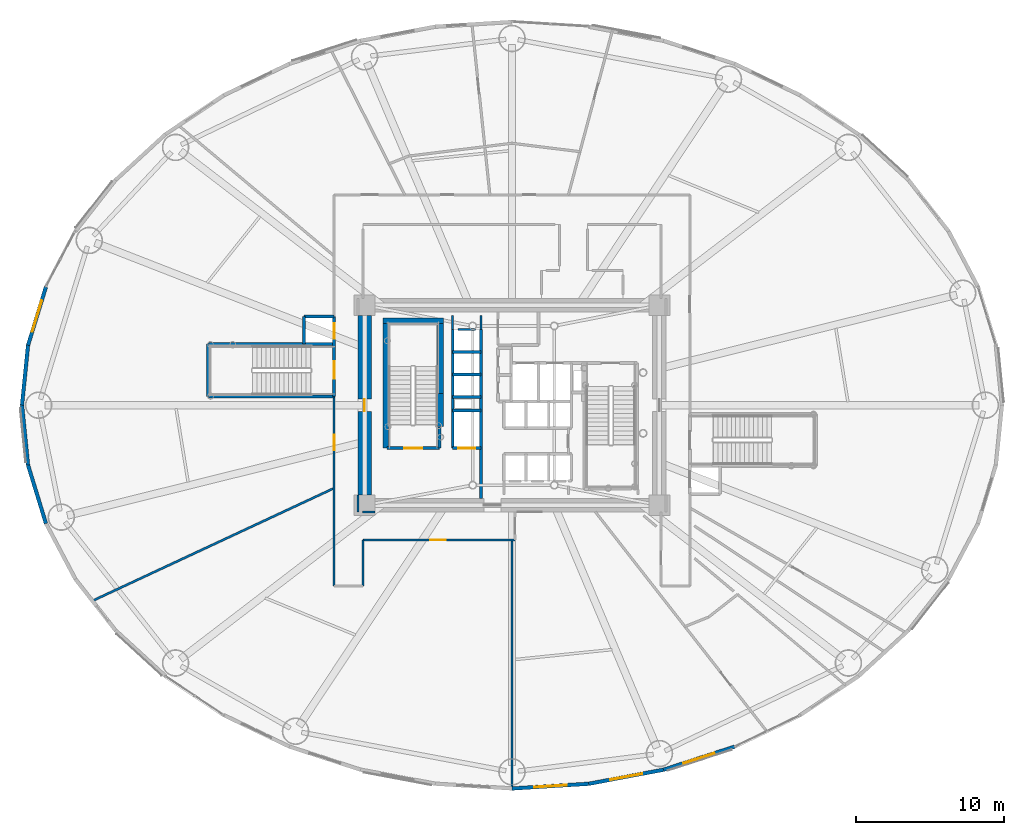
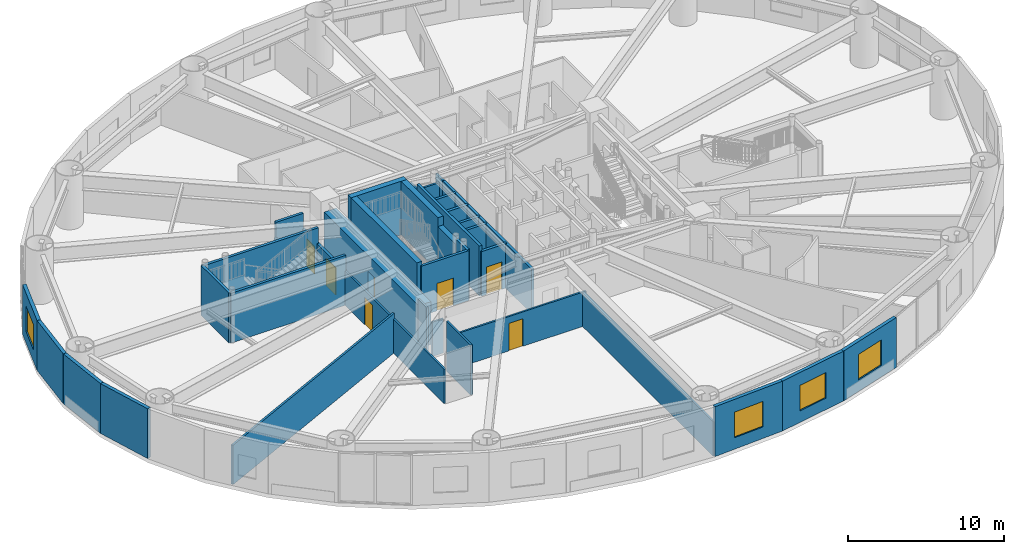
# One storey, part 13 of 27: 37 walls, 7 doors, 4 windows, 11 openings.
"""IFC4 building model written with IfcOpenShell, lengths in metres."""

from ifc_helpers import new_model, si_unit, direction, frame, frame_2d, origin, origin_2d, place, context, subcontext, project, spatial, rectangle, extrude, source, transform, mapped, material, layer, layer_set, type_object, element, fill, save


model = new_model("IFC4")

# Units and contexts
model_context = context("Model", 3, precision=1e-05, world=origin(), true_north=direction((0.0, 1.0)))
body_context = subcontext(model_context, "Body", "Model", "MODEL_VIEW")
ifc_project = project(units=[si_unit("LENGTHUNIT", "METRE"), si_unit("AREAUNIT", "SQUARE_METRE"), si_unit("VOLUMEUNIT", "CUBIC_METRE"), si_unit("PLANEANGLEUNIT", "RADIAN"), si_unit("MASSUNIT", "GRAM", prefix="KILO")], contexts=[model_context])

# Site, building, storey
site_placement = place(None, origin())
site = spatial("IfcSite", under=ifc_project, at=site_placement, CompositionType="ELEMENT")
building_placement = place(site_placement, origin())
building = spatial("IfcBuilding", under=site, at=building_placement, Name="Linh Dai School and Residence Tower", CompositionType="ELEMENT")
storey_placement = place(building_placement, frame((0.0, 0.0, 22.800048828125)))
storey = spatial("IfcBuildingStorey", under=building, at=storey_placement, Name="L05", CompositionType="ELEMENT", Elevation=22.800048828125)

# Wall, opening, window
ifc_material_1 = material(Name="Precast Concrete B45 (C35/45)", Category="concrete")
ifc_layer_1 = layer(ifc_material_1, 0.25)
ifc_layer_set_1 = layer_set([ifc_layer_1], Name="Precast Concrete B45 (C35/45)")
wall_type_1 = type_object("IfcWallType", Name="EW-TC-250", PredefinedType="SOLIDWALL", material=ifc_layer_set_1)
wall_1_placement = place(storey_placement, frame((3.331298828125, 31.04248046875, 0.0), z_axis=(0.0, 0.0, 1.0), x_axis=(0.293070945898, 0.956090696885, 0.0)))
wall_1 = element("IfcWall", 1, at=wall_1_placement, inside=storey, type_object=wall_type_1, Name="L05 Terracotta Exterior Wall 19", PredefinedType="SOLIDWALL", context=body_context, shape_type="SweptSolid", body=[
    extrude(rectangle(XDim=4.125244140625, YDim=0.25, at=frame_2d((2.0625, 0.0))), origin(), (0.0, 0.0, 1.0), 3.89990234375),
])
opening_1_placement = place(wall_1_placement, frame((0.962646484375, 0.0, 0.89990234375)))
opening_1 = element("IfcOpeningElement", 2, at=opening_1_placement, cuts=wall_1, Name="Opening W4", PredefinedType="OPENING", context=body_context, shape_type="SweptSolid", body=[
    extrude(rectangle(XDim=2.199951171875, YDim=2.0, at=origin_2d()), frame((1.10009765625, 0.135009765625, 1.0), z_axis=(0.0, -1.0, 0.0), x_axis=(1.0, 0.0, 0.0)), (0.0, 0.0, 1.0), 0.27001953125),
])
ifc_material_2 = material(Name="Acoustic Laminated Low-E Glazing", Category="glass")
window_type = type_object("IfcWindowType", Name="WN-SCH-2200x2000", PartitioningType="TRIPLE_PANEL_VERTICAL", PredefinedType="WINDOW", material=ifc_material_2)
shared_shape_1 = source(origin(), body_context, "Body", "SweptSolid", [
    extrude(rectangle(XDim=2.199951171875, YDim=2.0, at=origin_2d()), frame((1.10009765625, 0.030029296875, 1.0), z_axis=(0.0, -1.0, 0.0), x_axis=(1.0, 0.0, 0.0)), (0.0, 0.0, 1.0), 0.06005859375),
])
window_1_placement = place(opening_1_placement, origin())
window_1 = element("IfcWindow", 3, at=window_1_placement, inside=storey, type_object=window_type, Name="L05 Exterior Window 19.1", OverallHeight=2.0, OverallWidth=2.199951171875, PartitioningType="TRIPLE_PANEL_VERTICAL", PredefinedType="WINDOW", context=body_context, shape_type="MappedRepresentation", body=[
    mapped(shared_shape_1, transform((0.0, 0.0, 0.0), x_axis=(1.0, 0.0, 0.0), y_axis=(0.0, 1.0, 0.0), z_axis=(0.0, 0.0, 1.0), scale=1.0)),
])
fill(opening_1, window_1)

# Walls
for number, where, z_axis, x_axis, name in (
    (4, (2.925048828125, 27.0, 0.0), (0.0, 0.0, 1.0), (0.099991575324, 0.994988283782, 0.0), "L05 Terracotta Exterior Wall 20"),
    (5, (3.331298828125, 22.95751953125, 0.0), (0.0, 0.0, 1.0), (-0.099991575324, 0.994988283782, 0.0), "L05 Terracotta Exterior Wall 21"),
):
    element("IfcWall", number, at=place(storey_placement, frame(where, z_axis=z_axis, x_axis=x_axis)), inside=storey, type_object=wall_type_1, Name=name, PredefinedType="SOLIDWALL", context=body_context, shape_type="SweptSolid", body=[
        extrude(rectangle(XDim=4.062744140625, YDim=0.25, at=frame_2d((2.03125, 0.0))), origin(), (0.0, 0.0, 1.0), 3.89990234375),
    ])
wall_2_placement = place(storey_placement, frame((4.540283203125, 19.013427734375, 0.0), z_axis=(0.0, 0.0, 1.0), x_axis=(-0.293070945898, 0.956090696885, 0.0)))
element("IfcWall", 6, at=wall_2_placement, inside=storey, type_object=wall_type_1, Name="L05 Terracotta Exterior Wall 22", PredefinedType="SOLIDWALL", context=body_context, shape_type="SweptSolid", body=[
    extrude(rectangle(XDim=4.125244140625, YDim=0.25, at=frame_2d((2.0625, 0.0))), origin(), (0.0, 0.0, 1.0), 3.89990234375),
])

# Wall, opening, window
wall_3_placement = place(storey_placement, frame((41.17822265625, 1.444091796875, 0.0), z_axis=(0.0, 0.0, 1.0), x_axis=(-0.998106762298, -0.061505211614, 0.0)))
wall_3 = element("IfcWall", 7, at=wall_3_placement, inside=storey, type_object=wall_type_1, Name="L05 Terracotta Exterior Wall 31", PredefinedType="SOLIDWALL", context=body_context, shape_type="SweptSolid", body=[
    extrude(rectangle(XDim=5.18798828125, YDim=0.25, at=frame_2d((2.593994140625, 0.0))), origin(), (0.0, 0.0, 1.0), 3.89990234375),
])
opening_2_placement = place(wall_3_placement, frame((1.493896484375, 0.0, 0.89990234375)))
opening_2 = element("IfcOpeningElement", 8, at=opening_2_placement, cuts=wall_3, Name="Opening W4", PredefinedType="OPENING", context=body_context, shape_type="SweptSolid", body=[
    extrude(rectangle(XDim=2.199951171875, YDim=2.0, at=origin_2d()), frame((1.10009765625, 0.135009765625, 1.0), z_axis=(0.0, -1.0, 0.0), x_axis=(1.0, 0.0, 0.0)), (0.0, 0.0, 1.0), 0.27001953125),
])
window_2_placement = place(opening_2_placement, origin())
window_2 = element("IfcWindow", 9, at=window_2_placement, inside=storey, type_object=window_type, Name="L05 Exterior Window 31.1", OverallHeight=2.0, OverallWidth=2.199951171875, PartitioningType="TRIPLE_PANEL_VERTICAL", PredefinedType="WINDOW", context=body_context, shape_type="MappedRepresentation", body=[
    mapped(shared_shape_1, transform((0.0, 0.0, 0.0), x_axis=(1.0, 0.0, 0.0), y_axis=(0.0, 1.0, 0.0), z_axis=(0.0, 0.0, 1.0), scale=1.0)),
])
fill(opening_2, window_2)

wall_4_placement = place(storey_placement, frame((46.228515625, 2.3935546875, 0.0), z_axis=(0.0, 0.0, 1.0), x_axis=(-0.98278278947, -0.184764684726, 0.0)))
wall_4 = element("IfcWall", 10, at=wall_4_placement, inside=storey, type_object=wall_type_1, Name="L05 Terracotta Exterior Wall 32", PredefinedType="SOLIDWALL", context=body_context, shape_type="SweptSolid", body=[
    extrude(rectangle(XDim=5.138671875, YDim=0.25, at=frame_2d((2.5693359375, 0.0))), origin(), (0.0, 0.0, 1.0), 3.89990234375),
])
opening_3_placement = place(wall_4_placement, frame((1.469482421875, 0.0, 0.89990234375)))
opening_3 = element("IfcOpeningElement", 11, at=opening_3_placement, cuts=wall_4, Name="Opening W4", PredefinedType="OPENING", context=body_context, shape_type="SweptSolid", body=[
    extrude(rectangle(XDim=2.199951171875, YDim=2.0, at=origin_2d()), frame((1.10009765625, 0.135009765625, 1.0), z_axis=(0.0, -1.0, 0.0), x_axis=(1.0, 0.0, 0.0)), (0.0, 0.0, 1.0), 0.27001953125),
])
window_3_placement = place(opening_3_placement, origin())
window_3 = element("IfcWindow", 12, at=window_3_placement, inside=storey, type_object=window_type, Name="L05 Exterior Window 32.1", OverallHeight=2.0, OverallWidth=2.199951171875, PartitioningType="TRIPLE_PANEL_VERTICAL", PredefinedType="WINDOW", context=body_context, shape_type="MappedRepresentation", body=[
    mapped(shared_shape_1, transform((0.0, 0.0, 0.0), x_axis=(1.0, 0.0, 0.0), y_axis=(0.0, 1.0, 0.0), z_axis=(0.0, 0.0, 1.0), scale=1.0)),
])
fill(opening_3, window_3)

wall_5_placement = place(storey_placement, frame((51.026123046875, 3.949951171875, 0.0), z_axis=(0.0, 0.0, 1.0), x_axis=(-0.951198629726, -0.308579271513, 0.0)))
wall_5 = element("IfcWall", 13, at=wall_5_placement, inside=storey, type_object=wall_type_1, Name="L05 Terracotta Exterior Wall 33", PredefinedType="SOLIDWALL", context=body_context, shape_type="SweptSolid", body=[
    extrude(rectangle(XDim=5.043701171875, YDim=0.25, at=frame_2d((2.52197265625, 0.0))), origin(), (0.0, 0.0, 1.0), 3.89990234375),
])
opening_4_placement = place(wall_5_placement, frame((1.422119140625, 0.0, 0.89990234375)))
opening_4 = element("IfcOpeningElement", 14, at=opening_4_placement, cuts=wall_5, Name="Opening W4", PredefinedType="OPENING", context=body_context, shape_type="SweptSolid", body=[
    extrude(rectangle(XDim=2.199951171875, YDim=2.0, at=origin_2d()), frame((1.10009765625, 0.135009765625, 1.0), z_axis=(0.0, -1.0, 0.0), x_axis=(1.0, 0.0, 0.0)), (0.0, 0.0, 1.0), 0.27001953125),
])
window_4_placement = place(opening_4_placement, origin())
window_4 = element("IfcWindow", 15, at=window_4_placement, inside=storey, type_object=window_type, Name="L05 Exterior Window 33.1", OverallHeight=2.0, OverallWidth=2.199951171875, PartitioningType="TRIPLE_PANEL_VERTICAL", PredefinedType="WINDOW", context=body_context, shape_type="MappedRepresentation", body=[
    mapped(shared_shape_1, transform((0.0, 0.0, 0.0), x_axis=(1.0, 0.0, 0.0), y_axis=(0.0, 1.0, 0.0), z_axis=(0.0, 0.0, 1.0), scale=1.0)),
])
fill(opening_4, window_4)

# Wall, opening, door
ifc_material_3 = material(Name="Autoclaved Aerated Concrete Blockwork", Category="masonry")
ifc_layer_2 = layer(ifc_material_3, 0.135009765625)
ifc_layer_set_2 = layer_set([ifc_layer_2], Name="Autoclaved Aerated Concrete Blockwork")
wall_type_2 = type_object("IfcWallType", Name="IW-CORR-135-EI90", PredefinedType="PARTITIONING", material=ifc_layer_set_2)
wall_6_placement = place(storey_placement, frame((24.0, 14.800048828125, 0.0), z_axis=(0.0, 0.0, 1.0), x_axis=(0.0, 1.0, 0.0)))
wall_6 = element("IfcWall", 16, at=wall_6_placement, inside=storey, type_object=wall_type_2, Name="L05 Interior Partition Wall 009", PredefinedType="PARTITIONING", context=body_context, shape_type="SweptSolid", body=[
    extrude(rectangle(XDim=12.780029296875, YDim=0.135009765625, at=frame_2d((6.39013671875, 0.0))), origin(), (0.0, 0.0, 1.0), 2.68505859375),
])
opening_5_placement = place(wall_6_placement, frame((9.147216796875, 0.0, 0.0)))
opening_5 = element("IfcOpeningElement", 17, at=opening_5_placement, cuts=wall_6, Name="Opening D04", PredefinedType="OPENING", context=body_context, shape_type="SweptSolid", body=[
    extrude(rectangle(XDim=1.050048828125, YDim=2.14990234375, at=origin_2d()), frame((0.52490234375, 0.07763671875, 1.074951171875), z_axis=(0.0, -1.0, 0.0), x_axis=(1.0, 0.0, 0.0)), (0.0, 0.0, 1.0), 0.155029296875),
])
ifc_material_4 = material(Name="Acoustic Vision-Panel Timber Classroom Door", Category="wood")
door_type_1 = type_object("IfcDoorType", Name="DR-SCH-1050x2150-FD60S", OperationType="NOTDEFINED", PredefinedType="DOOR", material=ifc_material_4)
shared_shape_2 = source(origin(), body_context, "Body", "SweptSolid", [
    extrude(rectangle(XDim=1.050048828125, YDim=2.14990234375, at=origin_2d()), frame((0.52490234375, 0.02490234375, 1.074951171875), z_axis=(0.0, -1.0, 0.0), x_axis=(1.0, 0.0, 0.0)), (0.0, 0.0, 1.0), 0.050048828125),
])
door_1_placement = place(opening_5_placement, origin())
door_1 = element("IfcDoor", 18, at=door_1_placement, inside=storey, type_object=door_type_1, Name="L05 Orchestra and Acoustic Music Rehearsal Studio Door", OperationType="SINGLE_SWING_RIGHT", OverallHeight=2.14990234375, OverallWidth=1.050048828125, PredefinedType="DOOR", context=body_context, shape_type="MappedRepresentation", body=[
    mapped(shared_shape_2, transform((0.0, 0.0, 0.0), x_axis=(1.0, 0.0, 0.0), y_axis=(0.0, 1.0, 0.0), z_axis=(0.0, 0.0, 1.0), scale=1.0)),
])
fill(opening_5, door_1)

# Wall
wall_7_placement = place(storey_placement, frame((25.949951171875, 14.800048828125, 0.0), z_axis=(0.0, 0.0, 1.0), x_axis=(0.0, 1.0, 0.0)))
element("IfcWall", 19, at=wall_7_placement, inside=storey, type_object=wall_type_2, Name="L05 Interior Partition Wall 014", PredefinedType="PARTITIONING", context=body_context, shape_type="SweptSolid", body=[
    extrude(rectangle(XDim=3.099853515625, YDim=0.135009765625, at=frame_2d((1.5498046875, 0.0))), origin(), (0.0, 0.0, 1.0), 3.89990234375),
])

# Wall, opening, door
wall_8_placement = place(storey_placement, frame((25.949951171875, 17.89990234375, 0.0), z_axis=(0.0, 0.0, 1.0), x_axis=(1.0, 0.0, 0.0)))
wall_8 = element("IfcWall", 20, at=wall_8_placement, inside=storey, type_object=wall_type_2, Name="L05 Interior Partition Wall 015", PredefinedType="PARTITIONING", context=body_context, shape_type="SweptSolid", body=[
    extrude(rectangle(XDim=10.25, YDim=0.135009765625, at=frame_2d((5.125, 0.0))), origin(), (0.0, 0.0, 1.0), 2.68505859375),
])
opening_6_placement = place(wall_8_placement, frame((4.52001953125, 0.0, 0.0)))
opening_6 = element("IfcOpeningElement", 21, at=opening_6_placement, cuts=wall_8, Name="Opening D04", PredefinedType="OPENING", context=body_context, shape_type="SweptSolid", body=[
    extrude(rectangle(XDim=1.050048828125, YDim=2.14990234375, at=origin_2d()), frame((0.52490234375, 0.07763671875, 1.074951171875), z_axis=(0.0, -1.0, 0.0), x_axis=(1.0, 0.0, 0.0)), (0.0, 0.0, 1.0), 0.155029296875),
])
door_2_placement = place(opening_6_placement, origin())
door_2 = element("IfcDoor", 22, at=door_2_placement, inside=storey, type_object=door_type_1, Name="L05 Black-Box Drama and Recital Studio Door", OperationType="SINGLE_SWING_LEFT", OverallHeight=2.14990234375, OverallWidth=1.050048828125, PredefinedType="DOOR", context=body_context, shape_type="MappedRepresentation", body=[
    mapped(shared_shape_2, transform((0.0, 0.0, 0.0), x_axis=(1.0, 0.0, 0.0), y_axis=(0.0, 1.0, 0.0), z_axis=(0.0, 0.0, 1.0), scale=1.0)),
])
fill(opening_6, door_2)

# Walls
wall_9_placement = place(storey_placement, frame((32.360107421875, 32.10009765625, 0.0), z_axis=(0.0, 0.0, 1.0), x_axis=(1.0, 0.0, 0.0)))
element("IfcWall", 23, at=wall_9_placement, inside=storey, type_object=wall_type_2, Name="L05 Interior Partition Wall 078", PredefinedType="PARTITIONING", context=body_context, shape_type="SweptSolid", body=[
    extrude(rectangle(XDim=1.179931640625, YDim=0.135009765625, at=frame_2d((0.58984375, 0.0))), origin(), (0.0, 0.0, 1.0), 3.48486328125),
])
wall_10_placement = place(storey_placement, frame((32.0, 33.0400390625, 0.0), z_axis=(0.0, 0.0, 1.0), x_axis=(0.0, -1.0, 0.0)))
element("IfcWall", 24, at=wall_10_placement, inside=storey, type_object=wall_type_2, Name="L05 Interior Partition Wall 080", PredefinedType="PARTITIONING", context=body_context, shape_type="SweptSolid", body=[
    extrude(rectangle(XDim=0.929931640625, YDim=0.135009765625, at=frame_2d((0.46484375, 0.0))), origin(), (0.0, 0.0, 1.0), 3.43505859375),
])
wall_11_placement = place(storey_placement, frame((33.89990234375, 32.110107421875, 0.0), z_axis=(0.0, 0.0, 1.0), x_axis=(0.0, 1.0, 0.0)))
element("IfcWall", 25, at=wall_11_placement, inside=storey, type_object=wall_type_2, Name="L05 Interior Partition Wall 083", PredefinedType="PARTITIONING", context=body_context, shape_type="SweptSolid", body=[
    extrude(rectangle(XDim=0.929931640625, YDim=0.135009765625, at=frame_2d((0.46484375, 0.0))), origin(), (0.0, 0.0, 1.0), 3.48486328125),
])
wall_12_placement = place(storey_placement, frame((25.60009765625, 20.93994140625, 0.0), z_axis=(0.0, 0.0, 1.0), x_axis=(0.0, -1.0, 0.0)))
element("IfcWall", 26, at=wall_12_placement, inside=storey, type_object=wall_type_2, Name="L05 Interior Partition Wall 099", PredefinedType="PARTITIONING", context=body_context, shape_type="SweptSolid", body=[
    extrude(rectangle(XDim=1.139892578125, YDim=0.135009765625, at=frame_2d((0.56982421875, 0.0))), origin(), (0.0, 0.0, 1.0), 3.89990234375),
])
wall_13_placement = place(storey_placement, frame((25.907470703125, 19.800048828125, 0.0), z_axis=(0.0, 0.0, 1.0), x_axis=(1.0, 0.0, 0.0)))
element("IfcWall", 27, at=wall_13_placement, inside=storey, type_object=wall_type_2, Name="L05 Interior Partition Wall 100", PredefinedType="PARTITIONING", context=body_context, shape_type="SweptSolid", body=[
    extrude(rectangle(XDim=0.83251953125, YDim=0.135009765625, at=frame_2d((0.416259765625, 0.0))), origin(), (0.0, 0.0, 1.0), 2.68505859375),
])
ifc_layer_3 = layer(ifc_material_3, 0.14990234375)
ifc_layer_set_3 = layer_set([ifc_layer_3], Name="Autoclaved Aerated Concrete Blockwork")
wall_type_3 = type_object("IfcWallType", Name="IW-SCH-150-EI60", PredefinedType="PARTITIONING", material=ifc_layer_set_3)
wall_14_placement = place(storey_placement, frame((7.6708984375, 13.789794921875, 0.0), z_axis=(0.0, 0.0, 1.0), x_axis=(0.906305303078, 0.422623588567, 0.0)))
element("IfcWall", 28, at=wall_14_placement, inside=storey, type_object=wall_type_3, Name="L05 Interior Partition Wall 001", PredefinedType="PARTITIONING", context=body_context, shape_type="SweptSolid", body=[
    extrude(rectangle(XDim=18.017333984375, YDim=0.14990234375, at=frame_2d((9.0087890625, 0.0))), origin(), (0.0, 0.0, 1.0), 3.0849609375),
])
wall_15_placement = place(storey_placement, frame((36.0, 1.1201171875, 0.0), z_axis=(0.0, 0.0, 1.0), x_axis=(0.0, 1.0, 0.0)))
element("IfcWall", 29, at=wall_15_placement, inside=storey, type_object=wall_type_3, Name="L05 Interior Partition Wall 041", PredefinedType="PARTITIONING", context=body_context, shape_type="SweptSolid", body=[
    extrude(rectangle(XDim=16.77978515625, YDim=0.14990234375, at=frame_2d((8.389892578125, 0.0))), origin(), (0.0, 0.0, 1.0), 2.68505859375),
])
ifc_material_5 = material(Name="Concrete B45 (C35/45)", Category="concrete")
ifc_layer_4 = layer(ifc_material_5, 0.199951171875)
ifc_layer_set_4 = layer_set([ifc_layer_4], Name="Concrete B45 (C35/45)")
wall_type_4 = type_object("IfcWallType", Name="IW-SHAFT-200-EI120", PredefinedType="PARTITIONING", material=ifc_layer_set_4)
wall_16_placement = place(storey_placement, frame((15.47998046875, 27.580078125, 0.0), z_axis=(0.0, 0.0, 1.0), x_axis=(0.0, 1.0, 0.0)))
element("IfcWall", 30, at=wall_16_placement, inside=storey, type_object=wall_type_4, Name="L05 Interior Partition Wall 003", PredefinedType="PARTITIONING", context=body_context, shape_type="SweptSolid", body=[
    extrude(rectangle(XDim=3.5400390625, YDim=0.199951171875, at=frame_2d((1.77001953125, 0.0))), origin(), (0.0, 0.0, 1.0), 3.89990234375),
])
for number, where, z_axis, x_axis, name in (
    (31, (15.47998046875, 27.580078125, 0.0), (0.0, 0.0, 1.0), (1.0, 0.0, 0.0), "L05 Interior Partition Wall 004"),
    (32, (15.47998046875, 31.1201171875, 0.0), (0.0, 0.0, 1.0), (1.0, 0.0, 0.0), "L05 Interior Partition Wall 005"),
):
    element("IfcWall", number, at=place(storey_placement, frame(where, z_axis=z_axis, x_axis=x_axis)), inside=storey, type_object=wall_type_4, Name=name, PredefinedType="PARTITIONING", context=body_context, shape_type="SweptSolid", body=[
        extrude(rectangle(XDim=8.52001953125, YDim=0.199951171875, at=frame_2d((4.260009765625, 0.0))), origin(), (0.0, 0.0, 1.0), 3.89990234375),
    ])
wall_17_placement = place(storey_placement, frame((21.949951171875, 31.1201171875, 0.0), z_axis=(0.0, 0.0, 1.0), x_axis=(0.0, 1.0, 0.0)))
element("IfcWall", 33, at=wall_17_placement, inside=storey, type_object=wall_type_4, Name="L05 Interior Partition Wall 006", PredefinedType="PARTITIONING", context=body_context, shape_type="SweptSolid", body=[
    extrude(rectangle(XDim=1.8798828125, YDim=0.199951171875, at=frame_2d((0.93994140625, 0.0))), origin(), (0.0, 0.0, 1.0), 2.68505859375),
])
wall_18_placement = place(storey_placement, frame((21.949951171875, 33.0, 0.0), z_axis=(0.0, 0.0, 1.0), x_axis=(1.0, 0.0, 0.0)))
element("IfcWall", 34, at=wall_18_placement, inside=storey, type_object=wall_type_4, Name="L05 Interior Partition Wall 007", PredefinedType="PARTITIONING", context=body_context, shape_type="SweptSolid", body=[
    extrude(rectangle(XDim=2.050048828125, YDim=0.199951171875, at=frame_2d((1.02490234375, 0.0))), origin(), (0.0, 0.0, 1.0), 3.89990234375),
])

# Wall, openings, doors
wall_19_placement = place(storey_placement, frame((24.0, 27.590087890625, 0.0), z_axis=(0.0, 0.0, 1.0), x_axis=(0.0, 1.0, 0.0)))
wall_19 = element("IfcWall", 35, at=wall_19_placement, inside=storey, type_object=wall_type_4, Name="L05 Interior Partition Wall 011", PredefinedType="PARTITIONING", context=body_context, shape_type="SweptSolid", body=[
    extrude(rectangle(XDim=5.409912109375, YDim=0.199951171875, at=frame_2d((2.705078125, 0.0))), origin(), (0.0, 0.0, 1.0), 2.68505859375),
])
opening_7_placement = place(wall_19_placement, frame((1.18505859375, 0.0, 0.0)))
opening_7 = element("IfcOpeningElement", 36, at=opening_7_placement, cuts=wall_19, Name="Opening D01", PredefinedType="OPENING", context=body_context, shape_type="SweptSolid", body=[
    extrude(rectangle(XDim=1.199951171875, YDim=2.14990234375, at=origin_2d()), frame((0.60009765625, 0.10986328125, 1.074951171875), z_axis=(0.0, -1.0, 0.0), x_axis=(1.0, 0.0, 0.0)), (0.0, 0.0, 1.0), 0.219970703125),
])
opening_8_placement = place(wall_19_placement, frame((3.889892578125, 0.0, 0.0)))
opening_8 = element("IfcOpeningElement", 37, at=opening_8_placement, cuts=wall_19, Name="Opening LD-SL1", PredefinedType="OPENING", context=body_context, shape_type="SweptSolid", body=[
    extrude(rectangle(XDim=1.050048828125, YDim=2.14990234375, at=origin_2d()), frame((0.52490234375, 0.10986328125, 1.074951171875), z_axis=(0.0, -1.0, 0.0), x_axis=(1.0, 0.0, 0.0)), (0.0, 0.0, 1.0), 0.219970703125),
])
ifc_material_6 = material(Name="Fire-Rated Steel Door Leaf", Category="steel")
door_type_2 = type_object("IfcDoorType", Name="DR-STAIR-1200x2150-FD90S", OperationType="NOTDEFINED", PredefinedType="DOOR", material=ifc_material_6)
shared_shape_3 = source(origin(), body_context, "Body", "SweptSolid", [
    extrude(rectangle(XDim=1.199951171875, YDim=2.14990234375, at=origin_2d()), frame((0.60009765625, 0.02490234375, 1.074951171875), z_axis=(0.0, -1.0, 0.0), x_axis=(1.0, 0.0, 0.0)), (0.0, 0.0, 1.0), 0.050048828125),
])
door_3_placement = place(opening_7_placement, origin())
door_3 = element("IfcDoor", 38, at=door_3_placement, inside=storey, type_object=door_type_2, Name="L05 Exit Stair STS1 Door", OperationType="SINGLE_SWING_RIGHT", OverallHeight=2.14990234375, OverallWidth=1.199951171875, PredefinedType="DOOR", context=body_context, shape_type="MappedRepresentation", body=[
    mapped(shared_shape_3, transform((0.0, 0.0, 0.0), x_axis=(1.0, 0.0, 0.0), y_axis=(0.0, 1.0, 0.0), z_axis=(0.0, 0.0, 1.0), scale=1.0)),
])
fill(opening_7, door_3)
ifc_material_7 = material(Name="Brushed Stainless Steel Lift Landing Door", Category="steel")
door_type_3 = type_object("IfcDoorType", Name="DR-LD-PASS-1050x2150", OperationType="DOUBLE_DOOR_SLIDING", PredefinedType="USERDEFINED", material=ifc_material_7)
shared_shape_4 = source(origin(), body_context, "Body", "SweptSolid", [
    extrude(rectangle(XDim=1.050048828125, YDim=2.14990234375, at=origin_2d()), frame((0.52490234375, 0.02490234375, 1.074951171875), z_axis=(0.0, -1.0, 0.0), x_axis=(1.0, 0.0, 0.0)), (0.0, 0.0, 1.0), 0.050048828125),
])
door_4_placement = place(opening_8_placement, origin())
door_4 = element("IfcDoor", 39, at=door_4_placement, inside=storey, type_object=door_type_3, Name="L05 Lift SL1 Sliding Landing Door", ObjectType="LANDING DOOR", OperationType="DOUBLE_DOOR_SLIDING", OverallHeight=2.14990234375, OverallWidth=1.050048828125, PredefinedType="USERDEFINED", context=body_context, shape_type="MappedRepresentation", body=[
    mapped(shared_shape_4, transform((0.0, 0.0, 0.0), x_axis=(1.0, 0.0, 0.0), y_axis=(0.0, 1.0, 0.0), z_axis=(0.0, 0.0, 1.0), scale=1.0)),
])
fill(opening_8, door_4)

# Wall, opening, door
wall_20_placement = place(storey_placement, frame((27.56005859375, 24.10009765625, 0.0), z_axis=(0.0, 0.0, 1.0), x_axis=(1.0, 0.0, 0.0)))
wall_20 = element("IfcWall", 40, at=wall_20_placement, inside=storey, type_object=wall_type_4, Name="L05 Interior Partition Wall 016", PredefinedType="PARTITIONING", context=body_context, shape_type="SweptSolid", body=[
    extrude(rectangle(XDim=3.5400390625, YDim=0.199951171875, at=frame_2d((1.77001953125, 0.0))), origin(), (0.0, 0.0, 1.0), 3.89990234375),
])
opening_9_placement = place(wall_20_placement, frame((1.169921875, 0.0, 0.0)))
opening_9 = element("IfcOpeningElement", 41, at=opening_9_placement, cuts=wall_20, Name="Opening D01", PredefinedType="OPENING", context=body_context, shape_type="SweptSolid", body=[
    extrude(rectangle(XDim=1.199951171875, YDim=2.14990234375, at=origin_2d()), frame((0.60009765625, 0.10986328125, 1.074951171875), z_axis=(0.0, -1.0, 0.0), x_axis=(1.0, 0.0, 0.0)), (0.0, 0.0, 1.0), 0.219970703125),
])
door_5_placement = place(opening_9_placement, origin())
door_5 = element("IfcDoor", 42, at=door_5_placement, inside=storey, type_object=door_type_2, Name="L05 Core Smokeproof Exit Stair ST1 Door", OperationType="SINGLE_SWING_RIGHT", OverallHeight=2.14990234375, OverallWidth=1.199951171875, PredefinedType="DOOR", context=body_context, shape_type="MappedRepresentation", body=[
    mapped(shared_shape_3, transform((0.0, 0.0, 0.0), x_axis=(1.0, 0.0, 0.0), y_axis=(0.0, 1.0, 0.0), z_axis=(0.0, 0.0, 1.0), scale=1.0)),
])
fill(opening_9, door_5)

# Walls
wall_21_placement = place(storey_placement, frame((31.10009765625, 24.10009765625, 0.0), z_axis=(0.0, 0.0, 1.0), x_axis=(0.0, 1.0, 0.0)))
element("IfcWall", 43, at=wall_21_placement, inside=storey, type_object=wall_type_4, Name="L05 Interior Partition Wall 019", PredefinedType="PARTITIONING", context=body_context, shape_type="SweptSolid", body=[
    extrude(rectangle(XDim=1.43994140625, YDim=0.199951171875, at=frame_2d((0.719970703125, 0.0))), origin(), (0.0, 0.0, 1.0), 3.89990234375),
])
wall_22_placement = place(storey_placement, frame((32.0, 24.10009765625, 0.0), z_axis=(0.0, 0.0, 1.0), x_axis=(0.0, 1.0, 0.0)))
element("IfcWall", 44, at=wall_22_placement, inside=storey, type_object=wall_type_4, Name="L05 Interior Partition Wall 020", PredefinedType="PARTITIONING", context=body_context, shape_type="SweptSolid", body=[
    extrude(rectangle(XDim=8.0, YDim=0.199951171875, at=frame_2d((4.0, 0.0))), origin(), (0.0, 0.0, 1.0), 3.89990234375),
])

# Wall, opening, door
wall_23_placement = place(storey_placement, frame((32.0, 24.10009765625, 0.0), z_axis=(0.0, 0.0, 1.0), x_axis=(1.0, 0.0, 0.0)))
wall_23 = element("IfcWall", 45, at=wall_23_placement, inside=storey, type_object=wall_type_4, Name="L05 Interior Partition Wall 021", PredefinedType="PARTITIONING", context=body_context, shape_type="SweptSolid", body=[
    extrude(rectangle(XDim=1.89990234375, YDim=0.199951171875, at=frame_2d((0.949951171875, 0.0))), origin(), (0.0, 0.0, 1.0), 3.48486328125),
])
opening_10_placement = place(wall_23_placement, frame((0.375, 0.0, 0.0)))
opening_10 = element("IfcOpeningElement", 46, at=opening_10_placement, cuts=wall_23, Name="Opening LD-FF2", PredefinedType="OPENING", context=body_context, shape_type="SweptSolid", body=[
    extrude(rectangle(XDim=1.14990234375, YDim=2.14990234375, at=origin_2d()), frame((0.574951171875, 0.10986328125, 1.074951171875), z_axis=(0.0, -1.0, 0.0), x_axis=(1.0, 0.0, 0.0)), (0.0, 0.0, 1.0), 0.219970703125),
])
ifc_material_8 = material(Name="Fire-Rated Stainless Steel Firefighting Lift Door", Category="steel")
door_type_4 = type_object("IfcDoorType", Name="DR-LD-FF-1150x2150-FD120", OperationType="DOUBLE_DOOR_SLIDING", PredefinedType="USERDEFINED", material=ifc_material_8)
shared_shape_5 = source(origin(), body_context, "Body", "SweptSolid", [
    extrude(rectangle(XDim=1.14990234375, YDim=2.14990234375, at=origin_2d()), frame((0.574951171875, 0.02490234375, 1.074951171875), z_axis=(0.0, -1.0, 0.0), x_axis=(1.0, 0.0, 0.0)), (0.0, 0.0, 1.0), 0.050048828125),
])
door_6_placement = place(opening_10_placement, origin())
door_6 = element("IfcDoor", 47, at=door_6_placement, inside=storey, type_object=door_type_4, Name="L05 Lift FF2 Sliding Landing Door", ObjectType="LANDING DOOR", OperationType="DOUBLE_DOOR_SLIDING", OverallHeight=2.14990234375, OverallWidth=1.14990234375, PredefinedType="USERDEFINED", context=body_context, shape_type="MappedRepresentation", body=[
    mapped(shared_shape_5, transform((0.0, 0.0, 0.0), x_axis=(1.0, 0.0, 0.0), y_axis=(0.0, 1.0, 0.0), z_axis=(0.0, 0.0, 1.0), scale=1.0)),
])
fill(opening_10, door_6)

# Walls
for number, where, z_axis, x_axis, name in (
    (48, (32.0, 26.64990234375, 0.0), (0.0, 0.0, 1.0), (1.0, 0.0, 0.0), "L05 Interior Partition Wall 022"),
    (49, (32.0, 27.550048828125, 0.0), (0.0, 0.0, 1.0), (1.0, 0.0, 0.0), "L05 Interior Partition Wall 023"),
    (50, (32.0, 29.06005859375, 0.0), (0.0, 0.0, 1.0), (1.0, 0.0, 0.0), "L05 Interior Partition Wall 024"),
    (51, (32.0, 30.580078125, 0.0), (0.0, 0.0, 1.0), (1.0, 0.0, 0.0), "L05 Interior Partition Wall 025"),
):
    element("IfcWall", number, at=place(storey_placement, frame(where, z_axis=z_axis, x_axis=x_axis)), inside=storey, type_object=wall_type_4, Name=name, PredefinedType="PARTITIONING", context=body_context, shape_type="SweptSolid", body=[
        extrude(rectangle(XDim=1.89990234375, YDim=0.199951171875, at=frame_2d((0.949951171875, 0.0))), origin(), (0.0, 0.0, 1.0), 3.48486328125),
    ])
wall_24_placement = place(storey_placement, frame((33.89990234375, 20.699951171875, 0.0), z_axis=(0.0, 0.0, 1.0), x_axis=(0.0, 1.0, 0.0)))
element("IfcWall", 52, at=wall_24_placement, inside=storey, type_object=wall_type_4, Name="L05 Interior Partition Wall 027", PredefinedType="PARTITIONING", context=body_context, shape_type="SweptSolid", body=[
    extrude(rectangle(XDim=11.400146484375, YDim=0.199951171875, at=frame_2d((5.7001953125, 0.0))), origin(), (0.0, 0.0, 1.0), 3.48486328125),
])
ifc_layer_5 = layer(ifc_material_5, 0.39990234375)
ifc_layer_set_5 = layer_set([ifc_layer_5], Name="Concrete B45 (C35/45)")
wall_type_5 = type_object("IfcWallType", Name="WL-CORE400", PredefinedType="SHEAR", material=ifc_layer_set_5)
wall_25_placement = place(storey_placement, frame((27.47998046875, 24.10009765625, 0.0), z_axis=(0.0, 0.0, 1.0), x_axis=(0.0, 1.0, 0.0)))
element("IfcWall", 53, at=wall_25_placement, inside=storey, type_object=wall_type_5, Name="L05 Core Stair ST1 Bearing Wall W", PredefinedType="SHEAR", context=body_context, shape_type="SweptSolid", body=[
    extrude(rectangle(XDim=8.599853515625, YDim=0.39990234375, at=frame_2d((4.2998046875, 0.0))), origin(), (0.0, 0.0, 1.0), 4.199951171875),
])
wall_26_placement = place(storey_placement, frame((31.179931640625, 27.800048828125, 0.0), z_axis=(0.0, 0.0, 1.0), x_axis=(0.0, 1.0, 0.0)))
element("IfcWall", 54, at=wall_26_placement, inside=storey, type_object=wall_type_5, Name="L05 Core Stair ST1 Bearing Wall E", PredefinedType="SHEAR", context=body_context, shape_type="SweptSolid", body=[
    extrude(rectangle(XDim=4.89990234375, YDim=0.39990234375, at=frame_2d((2.449951171875, 0.0))), origin(), (0.0, 0.0, 1.0), 4.199951171875),
])
wall_27_placement = place(storey_placement, frame((27.280029296875, 32.699951171875, 0.0), z_axis=(0.0, 0.0, 1.0), x_axis=(1.0, 0.0, 0.0)))
element("IfcWall", 55, at=wall_27_placement, inside=storey, type_object=wall_type_5, Name="L05 Core Stair ST1 Bearing Wall N", PredefinedType="SHEAR", context=body_context, shape_type="SweptSolid", body=[
    extrude(rectangle(XDim=4.099853515625, YDim=0.39990234375, at=frame_2d((2.0498046875, 0.0))), origin(), (0.0, 0.0, 1.0), 4.199951171875),
])
wall_28_placement = place(storey_placement, frame((31.179931640625, 25.550048828125, 0.0), z_axis=(0.0, 0.0, 1.0), x_axis=(0.0, 1.0, 0.0)))
element("IfcWall", 56, at=wall_28_placement, inside=storey, type_object=wall_type_5, Name="L05 Internal Core Shear Wall IW", PredefinedType="SHEAR", context=body_context, shape_type="SweptSolid", body=[
    extrude(rectangle(XDim=2.25, YDim=0.39990234375, at=frame_2d((1.125, 0.0))), origin(), (0.0, 0.0, 1.0), 3.5),
])

# Wall, opening, door
ifc_material_9 = material(Name="Concrete B60 (C50/60)", Category="concrete")
ifc_layer_6 = layer(ifc_material_9, 0.89990234375)
ifc_layer_set_6 = layer_set([ifc_layer_6], Name="Concrete B60 (C50/60)")
wall_type_6 = type_object("IfcWallType", Name="WL-CORE900", PredefinedType="SHEAR", material=ifc_layer_set_6)
wall_29_placement = place(storey_placement, frame((26.050048828125, 20.949951171875, 0.0), z_axis=(0.0, 0.0, 1.0), x_axis=(0.0, 1.0, 0.0)))
wall_29 = element("IfcWall", 57, at=wall_29_placement, inside=storey, type_object=wall_type_6, Name="L05 Central Core Shear Wall W", PredefinedType="SHEAR", context=body_context, shape_type="SweptSolid", body=[
    extrude(rectangle(XDim=12.10009765625, YDim=0.89990234375, at=frame_2d((6.050048828125, 0.0))), origin(), (0.0, 0.0, 1.0), 3.349853515625),
])
opening_11_placement = place(wall_29_placement, frame((5.639892578125, 0.0, 0.0)))
opening_11 = element("IfcOpeningElement", 58, at=opening_11_placement, cuts=wall_29, Name="Opening D06", PredefinedType="OPENING", context=body_context, shape_type="SweptSolid", body=[
    extrude(rectangle(XDim=0.820068359375, YDim=2.10009765625, at=origin_2d()), frame((0.41015625, 0.4599609375, 1.050048828125), z_axis=(0.0, -1.0, 0.0), x_axis=(1.0, 0.0, 0.0)), (0.0, 0.0, 1.0), 0.919921875),
])
ifc_material_10 = material(Name="Moisture-Resistant Timber Bathroom Door", Category="wood")
door_type_5 = type_object("IfcDoorType", Name="DR-WET-820x2100", OperationType="NOTDEFINED", PredefinedType="DOOR", material=ifc_material_10)
shared_shape_6 = source(origin(), body_context, "Body", "SweptSolid", [
    extrude(rectangle(XDim=0.820068359375, YDim=2.10009765625, at=origin_2d()), frame((0.41015625, 0.02490234375, 1.050048828125), z_axis=(0.0, -1.0, 0.0), x_axis=(1.0, 0.0, 0.0)), (0.0, 0.0, 1.0), 0.050048828125),
])
door_7_placement = place(opening_11_placement, origin())
door_7 = element("IfcDoor", 59, at=door_7_placement, inside=storey, type_object=door_type_5, Name="L05 Firefighting Lobby Door", OperationType="SINGLE_SWING_LEFT", OverallHeight=2.10009765625, OverallWidth=0.820068359375, PredefinedType="DOOR", context=body_context, shape_type="MappedRepresentation", body=[
    mapped(shared_shape_6, transform((0.0, 0.0, 0.0), x_axis=(1.0, 0.0, 0.0), y_axis=(0.0, 1.0, 0.0), z_axis=(0.0, 0.0, 1.0), scale=1.0)),
])
fill(opening_11, door_7)

save(model, "model.ifc")
